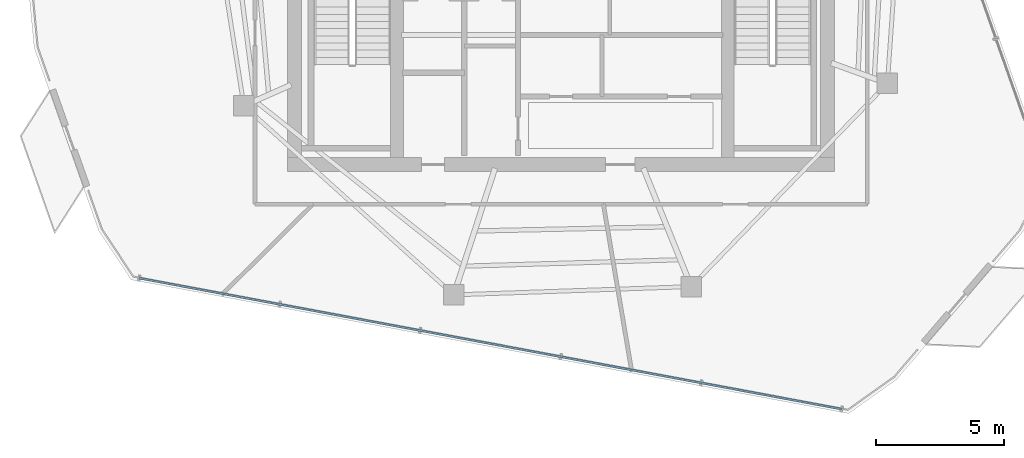
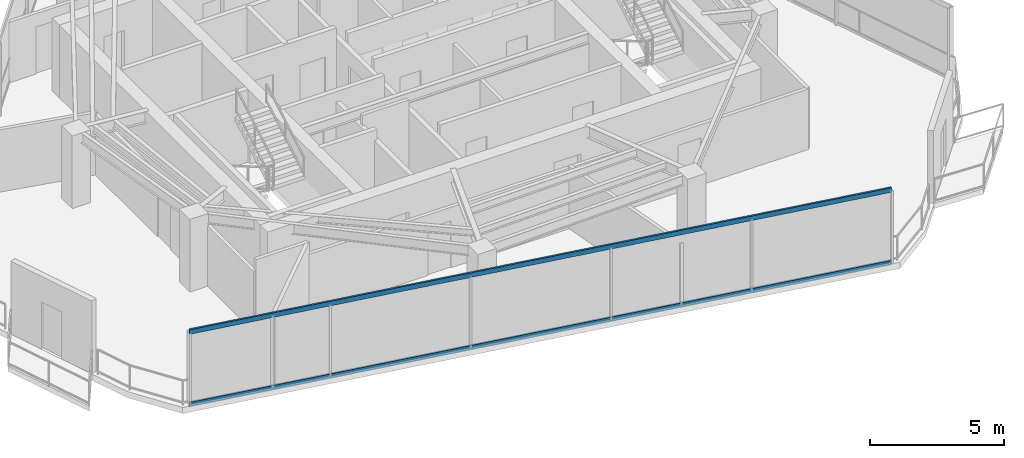
# One storey, part 3 of 18: 2 members, 1 element without a shape of its own.
"""IFC4 building model written with IfcOpenShell, lengths in metres."""

from ifc_helpers import new_model, si_unit, direction, frame, origin, origin_2d, place, context, subcontext, project, spatial, hollow_rectangle, extrude, material, layer, layer_set, material_profile, profile_set, type_object, element, aggregate, save


model = new_model("IFC4")

# Units and contexts
model_context = context("Model", 3, precision=1e-05, world=origin(), true_north=direction((0.0, 1.0)))
body_context = subcontext(model_context, "Body", "Model", "MODEL_VIEW")
ifc_project = project(units=[si_unit("LENGTHUNIT", "METRE"), si_unit("AREAUNIT", "SQUARE_METRE"), si_unit("VOLUMEUNIT", "CUBIC_METRE"), si_unit("PLANEANGLEUNIT", "RADIAN"), si_unit("MASSUNIT", "GRAM", prefix="KILO")], contexts=[model_context])

# Site, building, storey
site_placement = place(None, origin())
site = spatial("IfcSite", under=ifc_project, at=site_placement, CompositionType="ELEMENT")
building_placement = place(site_placement, origin())
building = spatial("IfcBuilding", under=site, at=building_placement, Name="Qarnah Convention Tower", CompositionType="ELEMENT")
storey_placement = place(building_placement, frame((0.0, 0.0, 253.5)))
storey = spatial("IfcBuildingStorey", under=building, at=storey_placement, Name="L68", CompositionType="ELEMENT", Elevation=253.5)

# Curtain wall, members
ifc_material_1 = material(Name="Tempered Low-E dark glass", Category="glass")
ifc_layer = layer(ifc_material_1, 0.176025390625)
ifc_layer_set = layer_set([ifc_layer], Name="Tempered Low-E dark glass")
curtain_wall_type = type_object("IfcCurtainWallType", Name="CWS-05", PredefinedType="NOTDEFINED", material=ifc_layer_set)
curtain_wall_placement = place(storey_placement, origin())
curtain_wall = element("IfcCurtainWall", 1, at=curtain_wall_placement, inside=storey, type_object=curtain_wall_type, Name="L68 unitised curtain wall CW-L68-F2", PredefinedType="NOTDEFINED")
ifc_material_2 = material(Name="Black anodised aluminium", Category="aluminium")
ifc_material_profile = material_profile(ifc_material_2, hollow_rectangle(XDim=0.080078125, YDim=0.2099609375, WallThickness=0.0048828125, at=origin_2d()), Name="TRN-80X210")
ifc_profile_set = profile_set([ifc_material_profile], Name="Black anodised aluminium")
member_type = type_object("IfcMemberType", Name="TRN-T5", PredefinedType="USERDEFINED", material=ifc_profile_set)
member_1_placement = place(storey_placement, frame((48.14990234375, 9.052978515625, 0.0), z_axis=(-0.9830612614, 0.183277266276, 0.0), x_axis=(-0.183277266276, -0.9830612614, 0.0)))
member_1 = element("IfcMember", 2, at=member_1_placement, type_object=member_type, Name="CW-L68-F2 transom 1", ObjectType="TRANSOM", PredefinedType="USERDEFINED", context=body_context, shape_type="SweptSolid", body=[
    extrude(hollow_rectangle(XDim=0.080078125, YDim=0.2099609375, WallThickness=0.0048828125, at=origin_2d()), origin(), (0.0, 0.0, 1.0), 27.88720703125),
])
member_2_placement = place(storey_placement, frame((48.14990234375, 9.052978515625, 3.320068359375), z_axis=(-0.9830612614, 0.183277266276, 0.0), x_axis=(-0.183277266276, -0.9830612614, 0.0)))
member_2 = element("IfcMember", 3, at=member_2_placement, type_object=member_type, Name="CW-L68-F2 transom 2", ObjectType="TRANSOM", PredefinedType="USERDEFINED", context=body_context, shape_type="SweptSolid", body=[
    extrude(hollow_rectangle(XDim=0.080078125, YDim=0.2099609375, WallThickness=0.0048828125, at=origin_2d()), origin(), (0.0, 0.0, 1.0), 27.88720703125),
])
aggregate(curtain_wall, [member_1, member_2])

save(model, "model.ifc")
